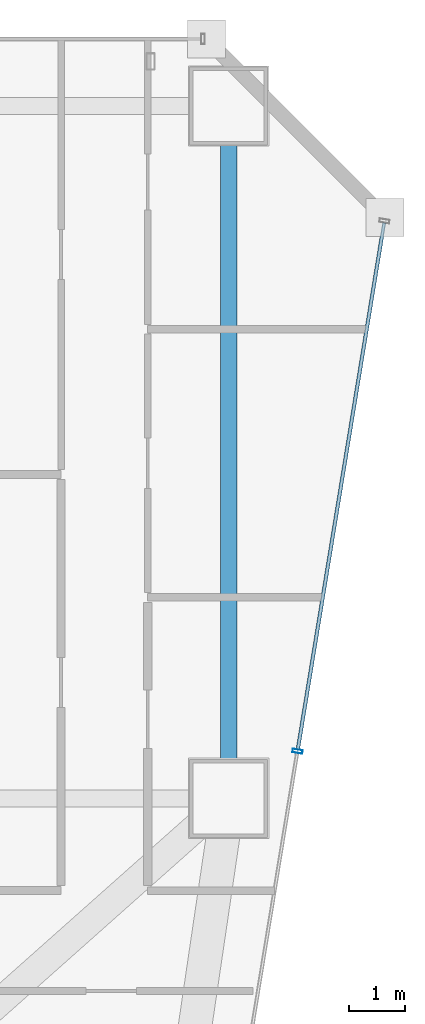
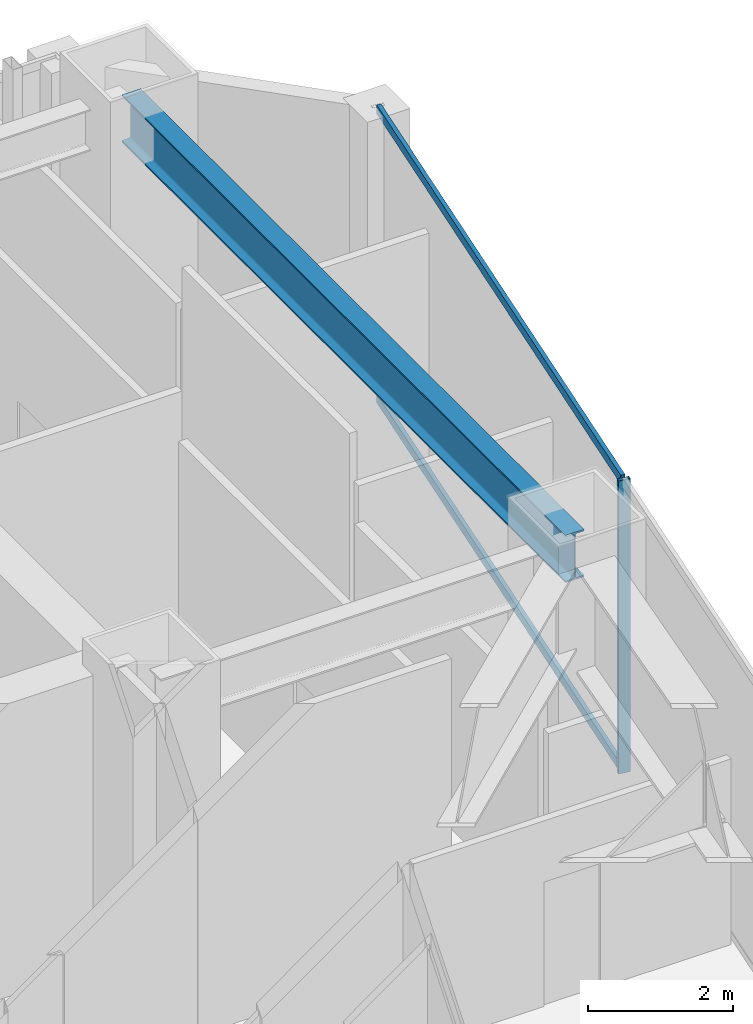
# One storey, part 33 of 42: 3 members, 1 beam, 1 element without a shape of its own.
"""IFC4 building model written with IfcOpenShell, lengths in metres."""

from ifc_helpers import new_model, si_unit, direction, frame, origin, origin_2d, place, context, subcontext, project, spatial, hollow_rectangle, i_section, extrude, material, material_profile, profile_set, type_object, element, aggregate, save


model = new_model("IFC4")

# Units and contexts
model_context = context("Model", 3, precision=1e-05, world=origin(), true_north=direction((0.0, 1.0)))
body_context = subcontext(model_context, "Body", "Model", "MODEL_VIEW")
ifc_project = project(units=[si_unit("LENGTHUNIT", "METRE"), si_unit("AREAUNIT", "SQUARE_METRE"), si_unit("VOLUMEUNIT", "CUBIC_METRE"), si_unit("PLANEANGLEUNIT", "RADIAN"), si_unit("MASSUNIT", "GRAM", prefix="KILO")], contexts=[model_context])

# Site, building, storey
site_placement = place(None, origin())
site = spatial("IfcSite", under=ifc_project, at=site_placement, CompositionType="ELEMENT")
building_placement = place(site_placement, origin())
building = spatial("IfcBuilding", under=site, at=building_placement, Name="Saevonmaru Cultural Tower", CompositionType="ELEMENT")
storey_placement = place(building_placement, frame((0.0, 0.0, 33.0)))
storey = spatial("IfcBuildingStorey", under=building, at=storey_placement, Name="L06", CompositionType="ELEMENT", Elevation=33.0)

# Beam
ifc_material_1 = material(Name="Steel SM420", Category="steel")
ifc_material_profile_1 = material_profile(ifc_material_1, i_section(OverallWidth=0.300048828125, OverallDepth=0.800048828125, WebThickness=0.013916015625, FlangeThickness=0.02587890625, FilletRadius=0.028076171875, at=origin_2d()), Name="H-800x300x14x26")
ifc_profile_set_1 = profile_set([ifc_material_profile_1], Name="Steel SM420")
beam_type = type_object("IfcBeamType", Name="BM-G-H800", PredefinedType="BEAM", material=ifc_profile_set_1)
beam_placement = place(storey_placement, frame((53.199951171875, 54.739990234375, 4.550048828125), z_axis=(0.0, -1.0, 0.0), x_axis=(1.0, 0.0, 0.0)))
element("IfcBeam", 1, at=beam_placement, inside=storey, type_object=beam_type, Name="L06 Spine Transverse Girder E", PredefinedType="BEAM", context=body_context, shape_type="SweptSolid", body=[
    extrude(i_section(OverallWidth=0.300048828125, OverallDepth=0.800048828125, WebThickness=0.013916015625, FlangeThickness=0.02587890625, FilletRadius=0.028076171875, at=origin_2d()), origin(), (0.0, 0.0, 1.0), 12.280029296875),
])

# Curtain wall, members
ifc_material_2 = material(Name="Satin Bronze Anodised Aluminium", Category="aluminium")
curtain_wall_type = type_object("IfcCurtainWallType", Name="CW-SKY-GLZ", PredefinedType="NOTDEFINED", material=ifc_material_2)
curtain_wall_placement = place(storey_placement, origin())
curtain_wall = element("IfcCurtainWall", 2, at=curtain_wall_placement, inside=storey, type_object=curtain_wall_type, Name="L06 Unitised Curtain Wall E8", PredefinedType="NOTDEFINED")
ifc_material_profile_2 = material_profile(ifc_material_2, hollow_rectangle(XDim=0.06494140625, YDim=0.179931640625, WallThickness=0.00390625, at=origin_2d()), Name="ALU-MULL-180x65x4")
ifc_profile_set_2 = profile_set([ifc_material_profile_2], Name="Satin Bronze Anodised Aluminium")
member_type_1 = type_object("IfcMemberType", Name="ML-CW-180x65", PredefinedType="MULLION", material=ifc_profile_set_2)
member_1_placement = place(storey_placement, frame((54.43408203125, 43.244384765625, 0.0), z_axis=(0.0, 0.0, 1.0), x_axis=(0.161708868641, 0.986838508472, 0.0)))
member_1 = element("IfcMember", 3, at=member_1_placement, type_object=member_type_1, Name="CW-TW-L06-E8 mullion 5", PredefinedType="MULLION", context=body_context, shape_type="SweptSolid", body=[
    extrude(hollow_rectangle(XDim=0.06494140625, YDim=0.179931640625, WallThickness=0.00390625, at=origin_2d()), origin(), (0.0, 0.0, 1.0), 4.949951171875),
])
ifc_material_profile_3 = material_profile(ifc_material_2, hollow_rectangle(XDim=0.06494140625, YDim=0.14990234375, WallThickness=0.00390625, at=origin_2d()), Name="ALU-TRAN-150x65x4")
ifc_profile_set_3 = profile_set([ifc_material_profile_3], Name="Satin Bronze Anodised Aluminium")
member_type_2 = type_object("IfcMemberType", Name="TR-CW-150x65", PredefinedType="USERDEFINED", material=ifc_profile_set_3)
member_2_placement = place(storey_placement, frame((54.439453125, 43.276611328125, 0.032470703125), z_axis=(0.161714267134, 0.986837623829, 0.0), x_axis=(-0.986837623829, 0.161714267134, 0.0)))
member_2 = element("IfcMember", 4, at=member_2_placement, type_object=member_type_2, Name="CW-TW-L06-E8 transom 5.1", ObjectType="TRANSOM", PredefinedType="USERDEFINED", context=body_context, shape_type="SweptSolid", body=[
    extrude(hollow_rectangle(XDim=0.06494140625, YDim=0.14990234375, WallThickness=0.00390625, at=origin_2d()), origin(), (0.0, 0.0, 1.0), 9.557861328125),
])
member_3_placement = place(storey_placement, frame((54.439453125, 43.276611328125, 4.91748046875), z_axis=(0.161714267134, 0.986837623829, 0.0), x_axis=(-0.986837623829, 0.161714267134, 0.0)))
member_3 = element("IfcMember", 5, at=member_3_placement, type_object=member_type_2, Name="CW-TW-L06-E8 transom 5.2", ObjectType="TRANSOM", PredefinedType="USERDEFINED", context=body_context, shape_type="SweptSolid", body=[
    extrude(hollow_rectangle(XDim=0.06494140625, YDim=0.14990234375, WallThickness=0.00390625, at=origin_2d()), origin(), (0.0, 0.0, 1.0), 9.557861328125),
])
aggregate(curtain_wall, [member_1, member_2, member_3])

save(model, "model.ifc")
